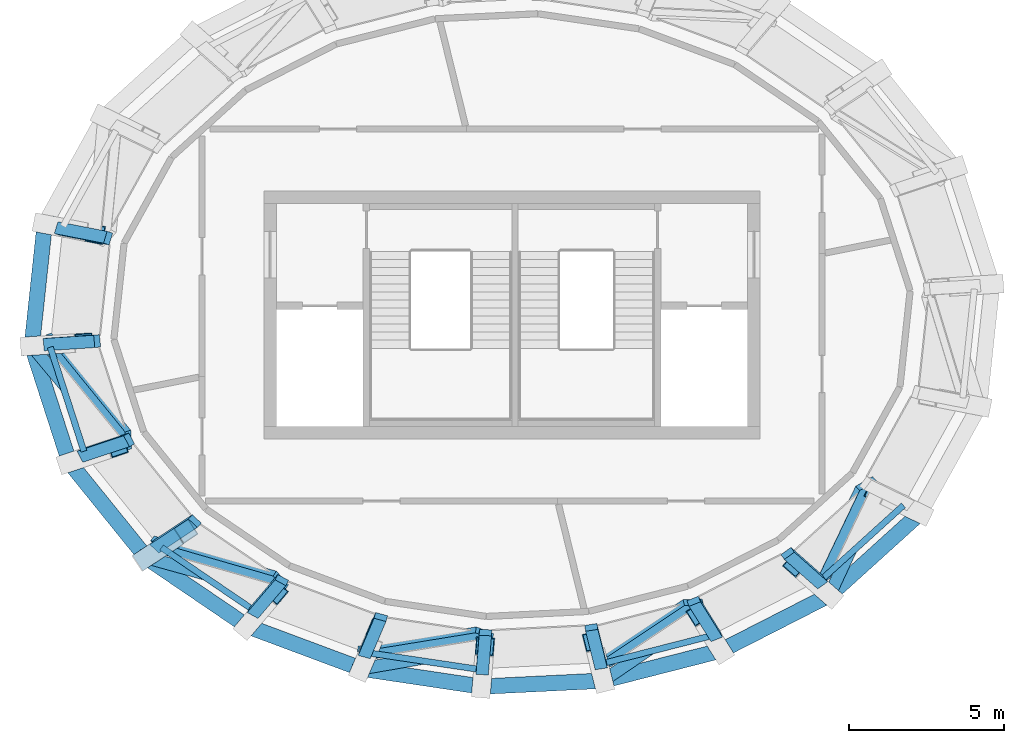
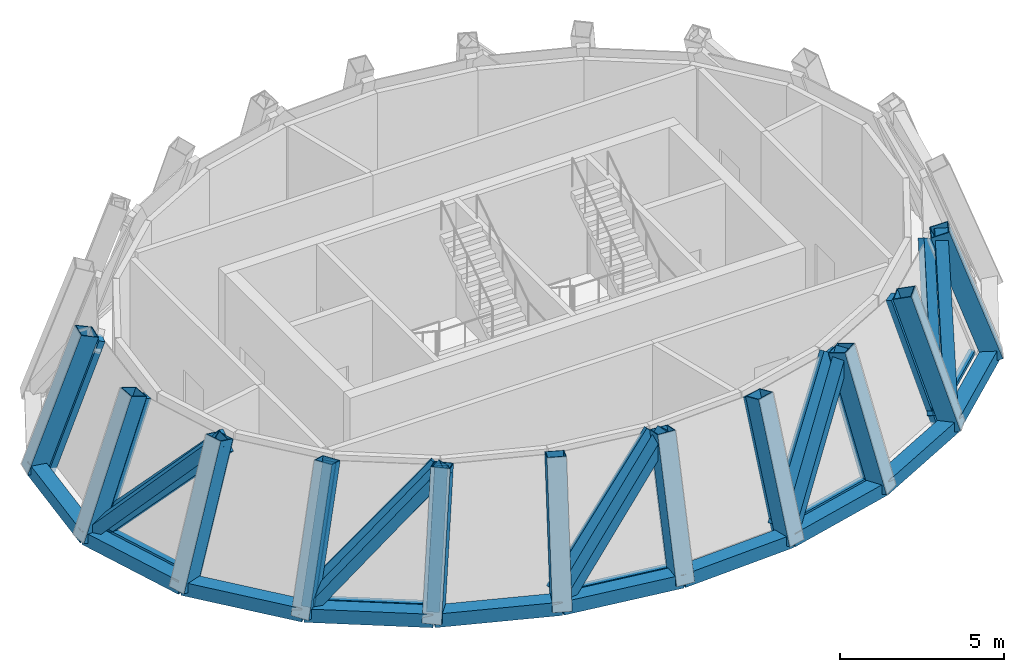
# One storey, part 1 of 6: 36 members, 10 beams, 1 element without a shape of its own.
"""IFC4 building model written with IfcOpenShell, lengths in metres."""

from ifc_helpers import new_model, si_unit, direction, frame, origin, origin_2d, place, context, subcontext, project, spatial, rectangle, hollow_rectangle, extrude, source, transform, mapped, material, material_profile, profile_set, type_object, element, aggregate, save


model = new_model("IFC4")

# Units and contexts
model_context = context("Model", 3, precision=1e-05, world=origin(), true_north=direction((0.0, 1.0)))
body_context = subcontext(model_context, "Body", "Model", "MODEL_VIEW")
ifc_project = project(units=[si_unit("LENGTHUNIT", "METRE"), si_unit("AREAUNIT", "SQUARE_METRE"), si_unit("VOLUMEUNIT", "CUBIC_METRE"), si_unit("PLANEANGLEUNIT", "RADIAN"), si_unit("MASSUNIT", "GRAM", prefix="KILO")], contexts=[model_context])

# Site, building, storey
site_placement = place(None, origin())
site = spatial("IfcSite", under=ifc_project, at=site_placement, CompositionType="ELEMENT")
building_placement = place(site_placement, origin())
building = spatial("IfcBuilding", under=site, at=building_placement, Name="Embergate Tower", CompositionType="ELEMENT")
storey_placement = place(building_placement, frame((0.0, 0.0, 365.5)))
storey = spatial("IfcBuildingStorey", under=building, at=storey_placement, Name="L83", CompositionType="ELEMENT", Elevation=365.5)

# Beams
ifc_material_1 = material(Name="Steel Q355D", Category="steel")
ifc_material_profile_1 = material_profile(ifc_material_1, hollow_rectangle(XDim=0.5, YDim=0.5, WallThickness=0.02490234375, at=origin_2d()), Name="BOX 500x500x25")
ifc_profile_set_1 = profile_set([ifc_material_profile_1], Name="Steel Q355 grade D")
beam_type = type_object("IfcBeamType", Name="Glass point ring beam BOX 500x500x25", PredefinedType="BEAM", material=ifc_profile_set_1)
shared_shape_1 = source(origin(), body_context, "Body", "SweptSolid", [
    extrude(hollow_rectangle(XDim=0.5, YDim=0.5, WallThickness=0.02490234375, at=origin_2d()), origin(), (0.0, 0.0, 1.0), 3.950439453125),
])
beam_1_placement = place(storey_placement, frame((-15.489013671875, -0.993896484375, 0.0), z_axis=(0.307575110553, -0.95152380494, 0.0), x_axis=(0.95152380494, 0.307575110553, 0.0)))
element("IfcBeam", 1, at=beam_1_placement, inside=storey, type_object=beam_type, Name="CRN-L83-RB11", PredefinedType="BEAM", context=body_context, shape_type="MappedRepresentation", body=[
    mapped(shared_shape_1, transform((0.0, 0.0, 0.0))),
])
shared_shape_2 = source(origin(), body_context, "Body", "SweptSolid", [
    extrude(hollow_rectangle(XDim=0.5, YDim=0.5, WallThickness=0.02490234375, at=origin_2d()), origin(), (0.0, 0.0, 1.0), 3.9423828125),
])
beam_2_placement = place(storey_placement, frame((-14.27392578125, -4.7529296875, 0.0), z_axis=(0.628260705723, -0.778002882799, 0.0), x_axis=(0.778002882799, 0.628260705723, 0.0)))
element("IfcBeam", 2, at=beam_2_placement, inside=storey, type_object=beam_type, Name="CRN-L83-RB12", PredefinedType="BEAM", context=body_context, shape_type="MappedRepresentation", body=[
    mapped(shared_shape_2, transform((0.0, 0.0, 0.0))),
])
shared_shape_3 = source(origin(), body_context, "Body", "SweptSolid", [
    extrude(hollow_rectangle(XDim=0.5, YDim=0.5, WallThickness=0.02490234375, at=origin_2d()), origin(), (0.0, 0.0, 1.0), 3.933837890625),
])
beam_3_placement = place(storey_placement, frame((-11.797119140625, -7.820068359375, 0.0), z_axis=(0.826955358406, -0.562267583276, 0.0), x_axis=(0.562267583276, 0.826955358406, 0.0)))
element("IfcBeam", 3, at=beam_3_placement, inside=storey, type_object=beam_type, Name="CRN-L83-RB13", PredefinedType="BEAM", context=body_context, shape_type="MappedRepresentation", body=[
    mapped(shared_shape_3, transform((0.0, 0.0, 0.0))),
])
shared_shape_4 = source(origin(), body_context, "Body", "SweptSolid", [
    extrude(hollow_rectangle(XDim=0.5, YDim=0.5, WallThickness=0.02490234375, at=origin_2d()), origin(), (0.0, 0.0, 1.0), 3.927734375),
])
beam_4_placement = place(storey_placement, frame((-8.5439453125, -10.031982421875, 0.0), z_axis=(0.936907758417, -0.349576675734, 0.0), x_axis=(0.349576675734, 0.936907758417, 0.0)))
element("IfcBeam", 4, at=beam_4_placement, inside=storey, type_object=beam_type, Name="CRN-L83-RB14", PredefinedType="BEAM", context=body_context, shape_type="MappedRepresentation", body=[
    mapped(shared_shape_4, transform((0.0, 0.0, 0.0))),
])
shared_shape_5 = source(origin(), body_context, "Body", "SweptSolid", [
    extrude(hollow_rectangle(XDim=0.5, YDim=0.5, WallThickness=0.02490234375, at=origin_2d()), origin(), (0.0, 0.0, 1.0), 3.925048828125),
])
beam_5_placement = place(storey_placement, frame((-4.864013671875, -11.405029296875, 0.0), z_axis=(0.989065095664, -0.147479613975, 0.0), x_axis=(0.147479613975, 0.989065095664, 0.0)))
element("IfcBeam", 5, at=beam_5_placement, inside=storey, type_object=beam_type, Name="CRN-L83-RB15", PredefinedType="BEAM", context=body_context, shape_type="MappedRepresentation", body=[
    mapped(shared_shape_5, transform((0.0, 0.0, 0.0))),
])
shared_shape_6 = source(origin(), body_context, "Body", "SweptSolid", [
    extrude(hollow_rectangle(XDim=0.5, YDim=0.5, WallThickness=0.02490234375, at=origin_2d()), origin(), (0.0, 0.0, 1.0), 3.923583984375),
])
beam_6_placement = place(storey_placement, frame((-0.98193359375, -11.98388671875, 0.0), z_axis=(0.998803323714, 0.048907264667, 0.0), x_axis=(-0.048907264667, 0.998803323714, 0.0)))
element("IfcBeam", 6, at=beam_6_placement, inside=storey, type_object=beam_type, Name="CRN-L83-RB16", PredefinedType="BEAM", context=body_context, shape_type="MappedRepresentation", body=[
    mapped(shared_shape_6, transform((0.0, 0.0, 0.0))),
])
shared_shape_7 = source(origin(), body_context, "Body", "SweptSolid", [
    extrude(hollow_rectangle(XDim=0.5, YDim=0.5, WallThickness=0.02490234375, at=origin_2d()), origin(), (0.0, 0.0, 1.0), 3.926025390625),
])
beam_7_placement = place(storey_placement, frame((2.93701171875, -11.7919921875, 0.0), z_axis=(0.968934517094, 0.247317410595, 0.0), x_axis=(-0.247317410595, 0.968934517094, 0.0)))
element("IfcBeam", 7, at=beam_7_placement, inside=storey, type_object=beam_type, Name="CRN-L83-RB17", PredefinedType="BEAM", context=body_context, shape_type="MappedRepresentation", body=[
    mapped(shared_shape_7, transform((0.0, 0.0, 0.0))),
])
shared_shape_8 = source(origin(), body_context, "Body", "SweptSolid", [
    extrude(hollow_rectangle(XDim=0.5, YDim=0.5, WallThickness=0.02490234375, at=origin_2d()), origin(), (0.0, 0.0, 1.0), 3.9306640625),
])
beam_8_placement = place(storey_placement, frame((6.740966796875, -10.821044921875, 0.0), z_axis=(0.890669485551, 0.454651369193, 0.0), x_axis=(-0.454651369193, 0.890669485551, 0.0)))
element("IfcBeam", 8, at=beam_8_placement, inside=storey, type_object=beam_type, Name="CRN-L83-RB18", PredefinedType="BEAM", context=body_context, shape_type="MappedRepresentation", body=[
    mapped(shared_shape_8, transform((0.0, 0.0, 0.0))),
])
shared_shape_9 = source(origin(), body_context, "Body", "SweptSolid", [
    extrude(hollow_rectangle(XDim=0.5, YDim=0.5, WallThickness=0.02490234375, at=origin_2d()), origin(), (0.0, 0.0, 1.0), 3.9384765625),
])
beam_9_placement = place(storey_placement, frame((10.241943359375, -9.033935546875, 0.0), z_axis=(0.74114501213, 0.671344971677, 0.0), x_axis=(-0.671344971677, 0.74114501213, 0.0)))
element("IfcBeam", 9, at=beam_9_placement, inside=storey, type_object=beam_type, Name="CRN-L83-RB19", PredefinedType="BEAM", context=body_context, shape_type="MappedRepresentation", body=[
    mapped(shared_shape_9, transform((0.0, 0.0, 0.0))),
])
shared_shape_10 = source(origin(), body_context, "Body", "SweptSolid", [
    extrude(hollow_rectangle(XDim=0.5, YDim=0.5, WallThickness=0.02490234375, at=origin_2d()), origin(), (0.0, 0.0, 1.0), 3.9521484375),
])
beam_10_placement = place(storey_placement, frame((-15.071044921875, 2.93603515625, 0.0), z_axis=(-0.105758761849, -0.994391816284, 0.0), x_axis=(0.994391816284, -0.105758761849, 0.0)))
element("IfcBeam", 10, at=beam_10_placement, inside=storey, type_object=beam_type, Name="CRN-L83-RB10", PredefinedType="BEAM", context=body_context, shape_type="MappedRepresentation", body=[
    mapped(shared_shape_10, transform((0.0, 0.0, 0.0))),
])

# Members
ifc_material_profile_2 = material_profile(ifc_material_1, hollow_rectangle(XDim=0.60009765625, YDim=0.60009765625, WallThickness=0.028076171875, at=origin_2d()), Name="BOX 600x600x28")
ifc_profile_set_2 = profile_set([ifc_material_profile_2], Name="Steel Q355 grade D")
member_type_1 = type_object("IfcMemberType", Name="Glass point hip BOX 600x600x28", PredefinedType="MEMBER", material=ifc_profile_set_2)
shared_shape_11 = source(origin(), body_context, "Body", "SweptSolid", [
    extrude(hollow_rectangle(XDim=0.60009765625, YDim=0.60009765625, WallThickness=0.028076171875, at=origin_2d()), origin(), (0.0, 0.0, 1.0), 5.069580078125),
])
member_1_placement = place(storey_placement, frame((-14.321044921875, -4.76904296875, -0.14111328125), z_axis=(0.314807704396, 0.105128532767, 0.943315483204), x_axis=(-0.316750072759, 0.948509036018, 0.0)))
element("IfcMember", 11, at=member_1_placement, inside=storey, type_object=member_type_1, Name="CRN-L83-HP12", PredefinedType="MEMBER", context=body_context, shape_type="MappedRepresentation", body=[
    mapped(shared_shape_11, transform((0.0, 0.0, 0.0))),
])
shared_shape_12 = source(origin(), body_context, "Body", "SweptSolid", [
    extrude(hollow_rectangle(XDim=0.60009765625, YDim=0.60009765625, WallThickness=0.028076171875, at=origin_2d()), origin(), (0.0, 0.0, 1.0), 5.03955078125),
])
member_2_placement = place(storey_placement, frame((-11.8359375, -7.845947265625, -0.14208984375), z_axis=(0.261899083885, 0.173630469228, 0.949347844584), x_axis=(-0.552563638116, 0.833470710842, 0.0)))
element("IfcMember", 12, at=member_2_placement, inside=storey, type_object=member_type_1, Name="CRN-L83-HP13", PredefinedType="MEMBER", context=body_context, shape_type="MappedRepresentation", body=[
    mapped(shared_shape_12, transform((0.0, 0.0, 0.0))),
])
shared_shape_13 = source(origin(), body_context, "Body", "SweptSolid", [
    extrude(hollow_rectangle(XDim=0.60009765625, YDim=0.60009765625, WallThickness=0.028076171875, at=origin_2d()), origin(), (0.0, 0.0, 1.0), 4.985107421875),
])
member_3_placement = place(storey_placement, frame((-4.8798828125, -11.443115234375, -0.14404296875), z_axis=(0.109116612669, 0.255993058538, 0.960500452275), x_axis=(-0.919917020504, 0.392113090048, 0.0)))
element("IfcMember", 13, at=member_3_placement, inside=storey, type_object=member_type_1, Name="CRN-L83-HP15", PredefinedType="MEMBER", context=body_context, shape_type="MappedRepresentation", body=[
    mapped(shared_shape_13, transform((0.0, 0.0, 0.0))),
])
shared_shape_14 = source(origin(), body_context, "Body", "SweptSolid", [
    extrude(hollow_rectangle(XDim=0.60009765625, YDim=0.60009765625, WallThickness=0.028076171875, at=origin_2d()), origin(), (0.0, 0.0, 1.0), 4.977783203125),
])
member_4_placement = place(storey_placement, frame((2.947021484375, -11.83203125, -0.14404296875), z_axis=(-0.066112868646, 0.265383332527, 0.961873575589), x_axis=(-0.970342594054, -0.241733841579, 0.0)))
element("IfcMember", 14, at=member_4_placement, inside=storey, type_object=member_type_1, Name="CRN-L83-HP17", PredefinedType="MEMBER", context=body_context, shape_type="MappedRepresentation", body=[
    mapped(shared_shape_14, transform((0.0, 0.0, 0.0))),
])
shared_shape_15 = source(origin(), body_context, "Body", "SweptSolid", [
    extrude(hollow_rectangle(XDim=0.60009765625, YDim=0.60009765625, WallThickness=0.028076171875, at=origin_2d()), origin(), (0.0, 0.0, 1.0), 4.996337890625),
])
member_5_placement = place(storey_placement, frame((6.763916015625, -10.85693359375, -0.14404296875), z_axis=(-0.151282472753, 0.242364685031, 0.95831778283), x_axis=(-0.848305629821, -0.529506901195, 0.0)))
element("IfcMember", 15, at=member_5_placement, inside=storey, type_object=member_type_1, Name="CRN-L83-HP18", PredefinedType="MEMBER", context=body_context, shape_type="MappedRepresentation", body=[
    mapped(shared_shape_15, transform((0.0, 0.0, 0.0))),
])
shared_shape_16 = source(origin(), body_context, "Body", "SweptSolid", [
    extrude(hollow_rectangle(XDim=0.60009765625, YDim=0.60009765625, WallThickness=0.028076171875, at=origin_2d()), origin(), (0.0, 0.0, 1.0), 5.024169921875),
])
member_6_placement = place(storey_placement, frame((10.27587890625, -9.06396484375, -0.14306640625), z_axis=(-0.228095770655, 0.201223814717, 0.952618126953), x_axis=(-0.661552945099, -0.749898460347, 0.0)))
element("IfcMember", 16, at=member_6_placement, inside=storey, type_object=member_type_1, Name="CRN-L83-HP19", PredefinedType="MEMBER", context=body_context, shape_type="MappedRepresentation", body=[
    mapped(shared_shape_16, transform((0.0, 0.0, 0.0))),
])
shared_shape_17 = source(origin(), body_context, "Body", "SweptSolid", [
    extrude(hollow_rectangle(XDim=0.60009765625, YDim=0.60009765625, WallThickness=0.028076171875, at=origin_2d()), origin(), (0.0, 0.0, 1.0), 5.081787109375),
])
member_7_placement = place(storey_placement, frame((-15.12109375, 2.946044921875, -0.14111328125), z_axis=(0.331975689609, -0.064761683009, 0.941062200878), x_axis=(0.191470311224, 0.98149840546, 0.0)))
element("IfcMember", 17, at=member_7_placement, inside=storey, type_object=member_type_1, Name="CRN-L83-HP10", PredefinedType="MEMBER", context=body_context, shape_type="MappedRepresentation", body=[
    mapped(shared_shape_17, transform((0.0, 0.0, 0.0))),
])
shared_shape_18 = source(origin(), body_context, "Body", "SweptSolid", [
    extrude(hollow_rectangle(XDim=0.60009765625, YDim=0.60009765625, WallThickness=0.028076171875, at=origin_2d()), origin(), (0.0, 0.0, 1.0), 5.008544921875),
])
member_8_placement = place(storey_placement, frame((-8.572998046875, -10.06591796875, -0.14306640625), z_axis=(0.191076336561, 0.224417207532, 0.955576658657), x_axis=(-0.761400435552, 0.648281865196, 0.0)))
element("IfcMember", 18, at=member_8_placement, inside=storey, type_object=member_type_1, Name="CRN-L83-HP14", PredefinedType="MEMBER", context=body_context, shape_type="MappedRepresentation", body=[
    mapped(shared_shape_18, transform((0.0, 0.0, 0.0))),
])
shared_shape_19 = source(origin(), body_context, "Body", "SweptSolid", [
    extrude(hollow_rectangle(XDim=0.60009765625, YDim=0.60009765625, WallThickness=0.028076171875, at=origin_2d()), origin(), (0.0, 0.0, 1.0), 5.056640625),
])
member_9_placement = place(storey_placement, frame((13.205078125, -6.410888671875, -0.14208984375), z_axis=(-0.291329169642, 0.14136755199, 0.946119722953), x_axis=(-0.436566141593, -0.899672164744, 0.0)))
element("IfcMember", 19, at=member_9_placement, inside=storey, type_object=member_type_1, Name="CRN-L83-HP20", PredefinedType="MEMBER", context=body_context, shape_type="MappedRepresentation", body=[
    mapped(shared_shape_19, transform((0.0, 0.0, 0.0))),
])
shared_shape_20 = source(origin(), body_context, "Body", "SweptSolid", [
    extrude(hollow_rectangle(XDim=0.60009765625, YDim=0.60009765625, WallThickness=0.028076171875, at=origin_2d()), origin(), (0.0, 0.0, 1.0), 5.087890625),
])
member_10_placement = place(storey_placement, frame((-15.5400390625, -0.9970703125, -0.14111328125), z_axis=(0.340648104328, 0.021833340959, 0.939937324634), x_axis=(-0.063962291006, 0.99795231616, 0.0)))
element("IfcMember", 20, at=member_10_placement, inside=storey, type_object=member_type_1, Name="CRN-L83-HP11", PredefinedType="MEMBER", context=body_context, shape_type="MappedRepresentation", body=[
    mapped(shared_shape_20, transform((0.0, 0.0, 0.0))),
])
shared_shape_21 = source(origin(), body_context, "Body", "SweptSolid", [
    extrude(hollow_rectangle(XDim=0.60009765625, YDim=0.60009765625, WallThickness=0.028076171875, at=origin_2d()), origin(), (0.0, 0.0, 1.0), 4.973388671875),
])
member_11_placement = place(storey_placement, frame((-0.985107421875, -12.02392578125, -0.14404296875), z_axis=(0.021942567479, 0.269594140028, 0.962724012059), x_axis=(-0.996704109496, 0.081122858147, 0.0)))
element("IfcMember", 21, at=member_11_placement, inside=storey, type_object=member_type_1, Name="CRN-L83-HP16", PredefinedType="MEMBER", context=body_context, shape_type="MappedRepresentation", body=[
    mapped(shared_shape_21, transform((0.0, 0.0, 0.0))),
])
ifc_material_profile_3 = material_profile(ifc_material_1, hollow_rectangle(XDim=0.39990234375, YDim=0.39990234375, WallThickness=0.02197265625, at=origin_2d()), Name="BOX 400x400x22")
ifc_profile_set_3 = profile_set([ifc_material_profile_3], Name="Steel Q355 grade D")
member_type_2 = type_object("IfcMemberType", Name="Glass point brace BOX 400x400x22", PredefinedType="BRACE", material=ifc_profile_set_3)
shared_shape_22 = source(origin(), body_context, "Body", "SweptSolid", [
    extrude(hollow_rectangle(XDim=0.39990234375, YDim=0.39990234375, WallThickness=0.02197265625, at=origin_2d()), origin(), (0.0, 0.0, 1.0), 6.484130859375),
])
member_12_placement = place(storey_placement, frame((-15.554931640625, -0.9150390625, -0.10888671875), z_axis=(0.439368236113, -0.526835235213, 0.727598919758), x_axis=(0.767978282019, 0.640475884282, 0.0)))
element("IfcMember", 22, at=member_12_placement, inside=storey, type_object=member_type_2, Name="CRN-L83-DG11", PredefinedType="BRACE", context=body_context, shape_type="MappedRepresentation", body=[
    mapped(shared_shape_22, transform((0.0, 0.0, 0.0))),
])
shared_shape_23 = source(origin(), body_context, "Body", "SweptSolid", [
    extrude(hollow_rectangle(XDim=0.39990234375, YDim=0.39990234375, WallThickness=0.02197265625, at=origin_2d()), origin(), (0.0, 0.0, 1.0), 6.530517578125),
])
member_13_placement = place(storey_placement, frame((-11.89697265625, -7.7919921875, -0.10791015625), z_axis=(0.666414443166, -0.185576197458, 0.722117209929), x_axis=(0.268262577346, 0.963345830736, 0.0)))
element("IfcMember", 23, at=member_13_placement, inside=storey, type_object=member_type_2, Name="CRN-L83-DG13", PredefinedType="BRACE", context=body_context, shape_type="MappedRepresentation", body=[
    mapped(shared_shape_23, transform((0.0, 0.0, 0.0))),
])
shared_shape_24 = source(origin(), body_context, "Body", "SweptSolid", [
    extrude(hollow_rectangle(XDim=0.39990234375, YDim=0.39990234375, WallThickness=0.02197265625, at=origin_2d()), origin(), (0.0, 0.0, 1.0), 6.350341796875),
])
member_14_placement = place(storey_placement, frame((-4.962890625, -11.422119140625, -0.112060546875), z_axis=(0.658686488071, 0.112760606404, 0.743920127484), x_axis=(-0.168735469882, 0.985661372482, 0.0)))
element("IfcMember", 24, at=member_14_placement, inside=storey, type_object=member_type_2, Name="CRN-L83-DG15", PredefinedType="BRACE", context=body_context, shape_type="MappedRepresentation", body=[
    mapped(shared_shape_24, transform((0.0, 0.0, 0.0))),
])
shared_shape_25 = source(origin(), body_context, "Body", "SweptSolid", [
    extrude(hollow_rectangle(XDim=0.39990234375, YDim=0.39990234375, WallThickness=0.02197265625, at=origin_2d()), origin(), (0.0, 0.0, 1.0), 6.15380859375),
])
member_15_placement = place(storey_placement, frame((2.85791015625, -11.845947265625, -0.114990234375), z_axis=(0.528487067191, 0.360431274336, 0.768629114913), x_axis=(-0.563442663456, 0.826155170049, 0.0)))
element("IfcMember", 25, at=member_15_placement, inside=storey, type_object=member_type_2, Name="CRN-L83-DG17", PredefinedType="BRACE", context=body_context, shape_type="MappedRepresentation", body=[
    mapped(shared_shape_25, transform((0.0, 0.0, 0.0))),
])
shared_shape_26 = source(origin(), body_context, "Body", "SweptSolid", [
    extrude(hollow_rectangle(XDim=0.39990234375, YDim=0.39990234375, WallThickness=0.02197265625, at=origin_2d()), origin(), (0.0, 0.0, 1.0), 6.0966796875),
])
member_16_placement = place(storey_placement, frame((10.201904296875, -9.1201171875, -0.115966796875), z_axis=(0.264736687009, 0.572281348365, 0.776149821146), x_axis=(-0.907592860019, 0.419851402812, 0.0)))
element("IfcMember", 26, at=member_16_placement, inside=storey, type_object=member_type_2, Name="CRN-L83-DG19", PredefinedType="BRACE", context=body_context, shape_type="MappedRepresentation", body=[
    mapped(shared_shape_26, transform((0.0, 0.0, 0.0))),
])

# Curtain wall, members
ifc_material_2 = material(Name="Aluminium and glass", Category="aluminium")
curtain_wall_type = type_object("IfcCurtainWallType", Name="Crown facet glazing", PredefinedType="NOTDEFINED", material=ifc_material_2)
curtain_wall_placement = place(storey_placement, origin())
curtain_wall = element("IfcCurtainWall", 27, at=curtain_wall_placement, inside=storey, type_object=curtain_wall_type, Name="Crown facet glazing L83", ObjectType="CROWN FACET GLAZING", PredefinedType="USERDEFINED")
ifc_material_3 = material(Name="Aluminium, thermally broken", Category="aluminium")
ifc_material_profile_4 = material_profile(ifc_material_3, rectangle(XDim=0.199951171875, YDim=0.39990234375, at=origin_2d()), Name="AL 400x200")
ifc_profile_set_4 = profile_set([ifc_material_profile_4], Name="Aluminium, thermally broken")
member_type_3 = type_object("IfcMemberType", Name="Crown hip mullion", PredefinedType="MULLION", material=ifc_profile_set_4)
shared_shape_27 = source(origin(), body_context, "Body", "SweptSolid", [
    extrude(rectangle(XDim=0.199951171875, YDim=0.39990234375, at=origin_2d()), origin(), (0.0, 0.0, 1.0), 4.78759765625),
])
member_17_placement = place(storey_placement, frame((-15.01220703125, -0.944580078125, -0.173828125), z_axis=(0.340645264756, 0.021927764049, 0.939936155685), x_axis=(-0.934988001259, -0.097138355122, 0.341118128316)))
member_17 = element("IfcMember", 28, at=member_17_placement, type_object=member_type_3, Name="CW hip 12", PredefinedType="MULLION", context=body_context, shape_type="MappedRepresentation", body=[
    mapped(shared_shape_27, transform((0.0, 0.0, 0.0))),
])
shared_shape_28 = source(origin(), body_context, "Body", "SweptSolid", [
    extrude(rectangle(XDim=0.199951171875, YDim=0.39990234375, at=origin_2d()), origin(), (0.0, 0.0, 1.0), 4.7705078125),
])
member_18_placement = place(storey_placement, frame((-13.852294921875, -4.5244140625, -0.166259765625), z_axis=(0.314847605018, 0.105017439125, 0.943314540911), x_axis=(-0.830741152117, -0.450202191905, 0.327394448004)))
member_18 = element("IfcMember", 29, at=member_18_placement, type_object=member_type_3, Name="CW hip 13", PredefinedType="MULLION", context=body_context, shape_type="MappedRepresentation", body=[
    mapped(shared_shape_28, transform((0.0, 0.0, 0.0))),
])
shared_shape_29 = source(origin(), body_context, "Body", "SweptSolid", [
    extrude(rectangle(XDim=0.199951171875, YDim=0.39990234375, at=origin_2d()), origin(), (0.0, 0.0, 1.0), 4.708984375),
])
member_19_placement = place(storey_placement, frame((-8.32275390625, -9.603759765625, -0.144775390625), z_axis=(0.190950191689, 0.224287409516, 0.955632346787), x_axis=(-0.439622614465, -0.85090875737, 0.287552157848)))
member_19 = element("IfcMember", 30, at=member_19_placement, type_object=member_type_3, Name="CW hip 15", PredefinedType="MULLION", context=body_context, shape_type="MappedRepresentation", body=[
    mapped(shared_shape_29, transform((0.0, 0.0, 0.0))),
])
shared_shape_30 = source(origin(), body_context, "Body", "SweptSolid", [
    extrude(rectangle(XDim=0.199951171875, YDim=0.39990234375, at=origin_2d()), origin(), (0.0, 0.0, 1.0), 4.674560546875),
])
member_20_placement = place(storey_placement, frame((-0.9580078125, -11.501220703125, -0.135986328125), z_axis=(0.022040106817, 0.26980851141, 0.96266172712), x_axis=(-0.04766957054, -0.961516825871, 0.270579019163)))
member_20 = element("IfcMember", 31, at=member_20_placement, type_object=member_type_3, Name="CW hip 17", PredefinedType="MULLION", context=body_context, shape_type="MappedRepresentation", body=[
    mapped(shared_shape_30, transform((0.0, 0.0, 0.0))),
])
shared_shape_31 = source(origin(), body_context, "Body", "SweptSolid", [
    extrude(rectangle(XDim=0.199951171875, YDim=0.39990234375, at=origin_2d()), origin(), (0.0, 0.0, 1.0), 4.67822265625),
])
member_21_placement = place(storey_placement, frame((2.864990234375, -11.31396484375, -0.13671875), z_axis=(-0.066016658347, 0.265266936266, 0.96191228984), x_axis=(0.143079258813, -0.951536521124, 0.272225227825)))
member_21 = element("IfcMember", 32, at=member_21_placement, type_object=member_type_3, Name="CW hip 18", PredefinedType="MULLION", context=body_context, shape_type="MappedRepresentation", body=[
    mapped(shared_shape_31, transform((0.0, 0.0, 0.0))),
])
shared_shape_32 = source(origin(), body_context, "Body", "SweptSolid", [
    extrude(rectangle(XDim=0.199951171875, YDim=0.39990234375, at=origin_2d()), origin(), (0.0, 0.0, 1.0), 4.69580078125),
])
member_22_placement = place(storey_placement, frame((6.570556640625, -10.369384765625, -0.14111328125), z_axis=(-0.151188442797, 0.242535792864, 0.958289332062), x_axis=(0.338782325299, -0.898007855339, 0.280728387973)))
member_22 = element("IfcMember", 33, at=member_22_placement, type_object=member_type_3, Name="CW hip 19", PredefinedType="MULLION", context=body_context, shape_type="MappedRepresentation", body=[
    mapped(shared_shape_32, transform((0.0, 0.0, 0.0))),
])
shared_shape_33 = source(origin(), body_context, "Body", "SweptSolid", [
    extrude(rectangle(XDim=0.199951171875, YDim=0.39990234375, at=origin_2d()), origin(), (0.0, 0.0, 1.0), 4.72412109375),
])
member_23_placement = place(storey_placement, frame((9.96875, -8.6376953125, -0.149169921875), z_axis=(-0.228218274527, 0.201344745824, 0.95256323281), x_axis=(0.542129097813, -0.786394894829, 0.296106586708)))
member_23 = element("IfcMember", 34, at=member_23_placement, type_object=member_type_3, Name="CW hip 20", PredefinedType="MULLION", context=body_context, shape_type="MappedRepresentation", body=[
    mapped(shared_shape_33, transform((0.0, 0.0, 0.0))),
])
shared_shape_34 = source(origin(), body_context, "Body", "SweptSolid", [
    extrude(rectangle(XDim=0.199951171875, YDim=0.39990234375, at=origin_2d()), origin(), (0.0, 0.0, 1.0), 4.740234375),
])
member_24_placement = place(storey_placement, frame((-11.471435546875, -7.46630859375, -0.154541015625), z_axis=(0.262000836675, 0.173619976495, 0.949321686966), x_axis=(-0.644589009883, -0.700606756284, 0.306031340533)))
member_24 = element("IfcMember", 35, at=member_24_placement, type_object=member_type_3, Name="CW hip 14", PredefinedType="MULLION", context=body_context, shape_type="MappedRepresentation", body=[
    mapped(shared_shape_34, transform((0.0, 0.0, 0.0))),
])
shared_shape_35 = source(origin(), body_context, "Body", "SweptSolid", [
    extrude(rectangle(XDim=0.199951171875, YDim=0.39990234375, at=origin_2d()), origin(), (0.0, 0.0, 1.0), 4.685302734375),
])
member_25_placement = place(storey_placement, frame((-4.743408203125, -10.937255859375, -0.138427734375), z_axis=(0.109321636966, 0.256108601376, 0.960446335821), x_axis=(-0.240261429055, -0.930778899096, 0.275545072006)))
member_25 = element("IfcMember", 36, at=member_25_placement, type_object=member_type_3, Name="CW hip 16", PredefinedType="MULLION", context=body_context, shape_type="MappedRepresentation", body=[
    mapped(shared_shape_35, transform((0.0, 0.0, 0.0))),
])
shared_shape_36 = source(origin(), body_context, "Body", "SweptSolid", [
    extrude(rectangle(XDim=0.199951171875, YDim=0.39990234375, at=origin_2d()), origin(), (0.0, 0.0, 1.0), 4.78173828125),
])
member_26_placement = place(storey_placement, frame((-14.614013671875, 2.79150390625, -0.171142578125), z_axis=(0.331924889654, -0.064587753486, 0.941092072928), x_axis=(-0.898052146858, 0.283660928876, 0.336212461032)))
member_26 = element("IfcMember", 37, at=member_26_placement, type_object=member_type_3, Name="CW hip 11", PredefinedType="MULLION", context=body_context, shape_type="MappedRepresentation", body=[
    mapped(shared_shape_36, transform((0.0, 0.0, 0.0))),
])
ifc_material_profile_5 = material_profile(ifc_material_3, rectangle(XDim=0.199951171875, YDim=0.139892578125, at=origin_2d()), Name="AL 140x200")
ifc_profile_set_5 = profile_set([ifc_material_profile_5], Name="Aluminium, thermally broken")
member_type_4 = type_object("IfcMemberType", Name="Crown facet transom", PredefinedType="USERDEFINED", material=ifc_profile_set_5)
shared_shape_37 = source(origin(), body_context, "Body", "SweptSolid", [
    extrude(rectangle(XDim=0.199951171875, YDim=0.139892578125, at=origin_2d()), origin(), (0.0, 0.0, 1.0), 3.528564453125),
])
member_27_placement = place(storey_placement, frame((-14.893310546875, -1.03369140625, 0.070068359375), z_axis=(0.307538429023, -0.951535661273, 0.0), x_axis=(0.951535661273, 0.307538429023, 0.0)))
member_27 = element("IfcMember", 38, at=member_27_placement, type_object=member_type_4, Name="CW transom 12.1", ObjectType="TRANSOM", PredefinedType="USERDEFINED", context=body_context, shape_type="MappedRepresentation", body=[
    mapped(shared_shape_37, transform((0.0, 0.0, 0.0))),
])
ifc_material_profile_6 = material_profile(ifc_material_3, rectangle(XDim=0.199951171875, YDim=0.760009765625, at=origin_2d()), Name="AL 760x200")
ifc_profile_set_6 = profile_set([ifc_material_profile_6], Name="Aluminium, thermally broken")
member_type_5 = type_object("IfcMemberType", Name="Crown diagonal cover mullion", PredefinedType="MULLION", material=ifc_profile_set_6)
shared_shape_38 = source(origin(), body_context, "Body", "SweptSolid", [
    extrude(rectangle(XDim=0.199951171875, YDim=0.760009765625, at=origin_2d()), origin(), (0.0, 0.0, 1.0), 5.7998046875),
])
member_28_placement = place(storey_placement, frame((-14.92724609375, -0.909912109375, 0.086181640625), z_axis=(0.439887186157, -0.540029924517, 0.71754229428), x_axis=(-0.897589435428, -0.290052713462, 0.331967812931)))
member_28 = element("IfcMember", 39, at=member_28_placement, type_object=member_type_5, Name="CW diagonal mullion 12", PredefinedType="MULLION", context=body_context, shape_type="MappedRepresentation", body=[
    mapped(shared_shape_38, transform((0.0, 0.0, 0.0))),
])
shared_shape_39 = source(origin(), body_context, "Body", "SweptSolid", [
    extrude(rectangle(XDim=0.199951171875, YDim=0.139892578125, at=origin_2d()), origin(), (0.0, 0.0, 1.0), 3.513916015625),
])
member_29_placement = place(storey_placement, frame((-11.302978515625, -7.49755859375, 0.070068359375), z_axis=(0.826938132391, -0.562292917614, 0.0), x_axis=(0.562292917614, 0.826938132391, 0.0)))
member_29 = element("IfcMember", 40, at=member_29_placement, type_object=member_type_4, Name="CW transom 14.1", ObjectType="TRANSOM", PredefinedType="USERDEFINED", context=body_context, shape_type="MappedRepresentation", body=[
    mapped(shared_shape_39, transform((0.0, 0.0, 0.0))),
])
shared_shape_40 = source(origin(), body_context, "Body", "SweptSolid", [
    extrude(rectangle(XDim=0.199951171875, YDim=0.760009765625, at=origin_2d()), origin(), (0.0, 0.0, 1.0), 5.86376953125),
])
member_30_placement = place(storey_placement, frame((-11.406982421875, -7.421142578125, 0.085693359375), z_axis=(0.673624261685, -0.193772625866, 0.713219828337), x_axis=(-0.537627278816, -0.790648386204, 0.292971053974)))
member_30 = element("IfcMember", 41, at=member_30_placement, type_object=member_type_5, Name="CW diagonal mullion 14", PredefinedType="MULLION", context=body_context, shape_type="MappedRepresentation", body=[
    mapped(shared_shape_40, transform((0.0, 0.0, 0.0))),
])
shared_shape_41 = source(origin(), body_context, "Body", "SweptSolid", [
    extrude(rectangle(XDim=0.199951171875, YDim=0.139892578125, at=origin_2d()), origin(), (0.0, 0.0, 1.0), 3.506103515625),
])
member_31_placement = place(storey_placement, frame((-4.57177734375, -10.90380859375, 0.070068359375), z_axis=(0.989064690679, -0.147482329967, 0.0), x_axis=(0.147482329967, 0.989064690679, 0.0)))
member_31 = element("IfcMember", 42, at=member_31_placement, type_object=member_type_4, Name="CW transom 16.1", ObjectType="TRANSOM", PredefinedType="USERDEFINED", context=body_context, shape_type="MappedRepresentation", body=[
    mapped(shared_shape_41, transform((0.0, 0.0, 0.0))),
])
shared_shape_42 = source(origin(), body_context, "Body", "SweptSolid", [
    extrude(rectangle(XDim=0.199951171875, YDim=0.760009765625, at=origin_2d()), origin(), (0.0, 0.0, 1.0), 5.6953125),
])
member_32_placement = place(storey_placement, frame((-4.697509765625, -10.8798828125, 0.08837890625), z_axis=(0.668853758829, 0.108839306138, 0.735383338634), x_axis=(-0.142026925598, -0.95229364632, 0.270120646349)))
member_32 = element("IfcMember", 43, at=member_32_placement, type_object=member_type_5, Name="CW diagonal mullion 16", PredefinedType="MULLION", context=body_context, shape_type="MappedRepresentation", body=[
    mapped(shared_shape_42, transform((0.0, 0.0, 0.0))),
])
shared_shape_43 = source(origin(), body_context, "Body", "SweptSolid", [
    extrude(rectangle(XDim=0.199951171875, YDim=0.139892578125, at=origin_2d()), origin(), (0.0, 0.0, 1.0), 3.507080078125),
])
member_33_placement = place(storey_placement, frame((2.99755859375, -11.219482421875, 0.070068359375), z_axis=(0.968930844734, 0.247331797639, 0.0), x_axis=(-0.247331797639, 0.968930844734, 0.0)))
member_33 = element("IfcMember", 44, at=member_33_placement, type_object=member_type_4, Name="CW transom 18.1", ObjectType="TRANSOM", PredefinedType="USERDEFINED", context=body_context, shape_type="MappedRepresentation", body=[
    mapped(shared_shape_43, transform((0.0, 0.0, 0.0))),
])
shared_shape_44 = source(origin(), body_context, "Body", "SweptSolid", [
    extrude(rectangle(XDim=0.199951171875, YDim=0.760009765625, at=origin_2d()), origin(), (0.0, 0.0, 1.0), 5.50146484375),
])
member_34_placement = place(storey_placement, frame((2.87353515625, -11.2451171875, 0.09130859375), z_axis=(0.54051717814, 0.36096606954, 0.759963602271), x_axis=(0.237978526652, -0.931992455934, 0.273415952231)))
member_34 = element("IfcMember", 45, at=member_34_placement, type_object=member_type_5, Name="CW diagonal mullion 18", PredefinedType="MULLION", context=body_context, shape_type="MappedRepresentation", body=[
    mapped(shared_shape_44, transform((0.0, 0.0, 0.0))),
])
shared_shape_45 = source(origin(), body_context, "Body", "SweptSolid", [
    extrude(rectangle(XDim=0.199951171875, YDim=0.139892578125, at=origin_2d()), origin(), (0.0, 0.0, 1.0), 3.51806640625),
])
member_35_placement = place(storey_placement, frame((10.017333984375, -8.499755859375, 0.070068359375), z_axis=(0.741150949846, 0.671338416555, 0.0), x_axis=(-0.671338416555, 0.741150949846, 0.0)))
member_35 = element("IfcMember", 46, at=member_35_placement, type_object=member_type_4, Name="CW transom 20.1", ObjectType="TRANSOM", PredefinedType="USERDEFINED", context=body_context, shape_type="MappedRepresentation", body=[
    mapped(shared_shape_45, transform((0.0, 0.0, 0.0))),
])
shared_shape_46 = source(origin(), body_context, "Body", "SweptSolid", [
    extrude(rectangle(XDim=0.199951171875, YDim=0.760009765625, at=origin_2d()), origin(), (0.0, 0.0, 1.0), 5.431640625),
])
member_36_placement = place(storey_placement, frame((9.9189453125, -8.579345703125, 0.092041015625), z_axis=(0.276879811797, 0.579200203703, 0.766723348966), x_axis=(0.639846865069, -0.706425307101, 0.30258763152)))
member_36 = element("IfcMember", 47, at=member_36_placement, type_object=member_type_5, Name="CW diagonal mullion 20", PredefinedType="MULLION", context=body_context, shape_type="MappedRepresentation", body=[
    mapped(shared_shape_46, transform((0.0, 0.0, 0.0))),
])
aggregate(curtain_wall, [member_26, member_17, member_27, member_28, member_18, member_24, member_29, member_30, member_19, member_25, member_31, member_32, member_20, member_21, member_33, member_34, member_22, member_23, member_35, member_36])

save(model, "model.ifc")
